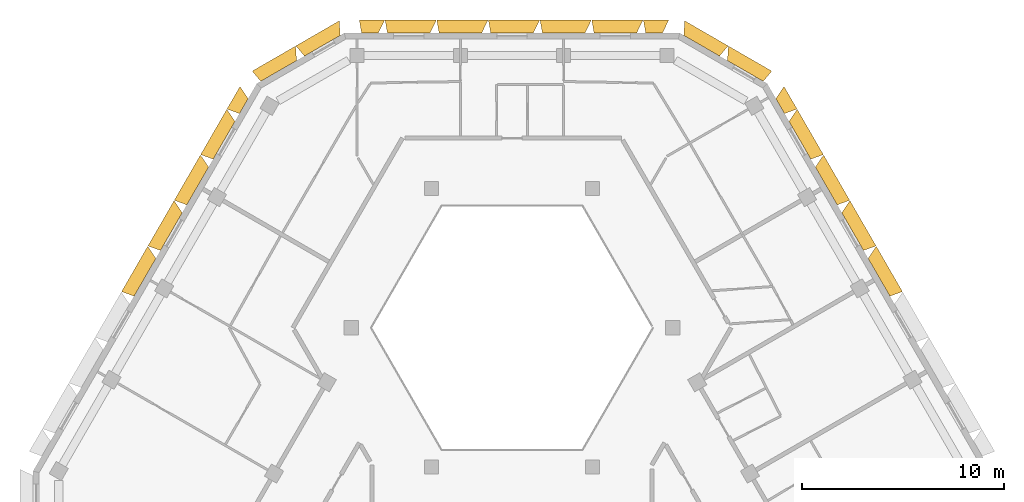
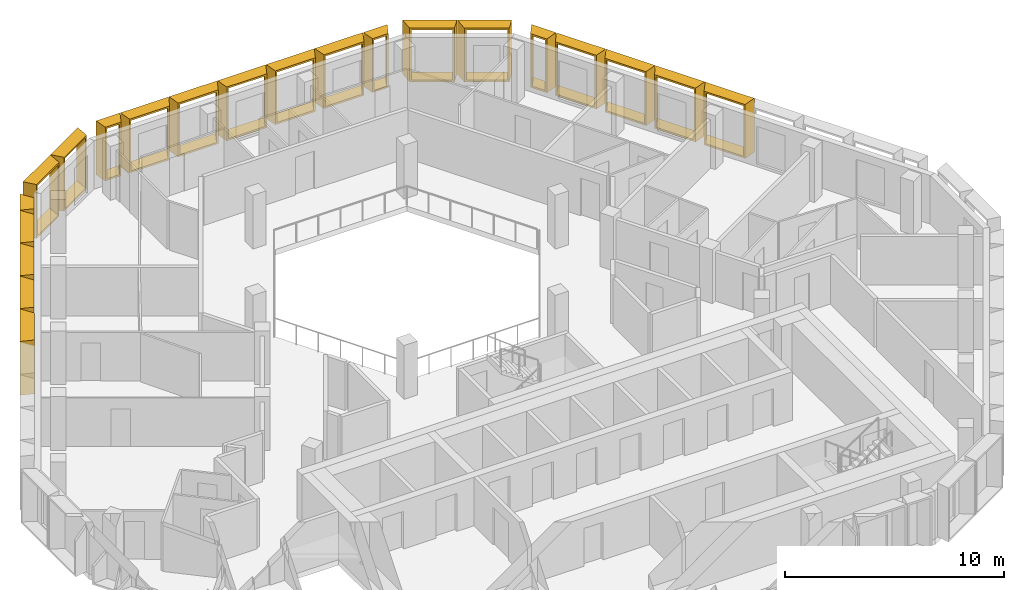
# One storey, part 14 of 14: 21 shading devices.
"""IFC4 building model written with IfcOpenShell, lengths in metres."""

import ifcopenshell
import ifcopenshell.guid

model = None  # the IFC model being written
_history = None  # IfcOwnerHistory: only IFC2X3 demands one
_inside = {}  # id of a spatial element -> (the spatial element, [elements in it])
_under = {}  # id of a project, library or spatial element -> (it, [spatial elements below it])
_declared = {}  # id of a project -> (the project, [libraries it declares])
_typed = {}  # id of a type object -> (the type object, [elements of that type])
_made_of = {}  # id of a material, layer set ... -> (it, [elements and type objects made of it])


def new_model(schema):
    """Start an empty IFC model of exactly this schema.

    Asked for "IFC4X3", IfcOpenShell would pick the latest addendum, in which some entities
    have other attributes; the version numbers below select the first issue.
    IFC2X3 requires an IfcOwnerHistory on every rooted entity: one is made here for all.
    """
    global model, _history
    if schema == "IFC4X3":
        model = ifcopenshell.file(schema_version=(4, 3, 0, 0))
    else:
        model = ifcopenshell.file(schema=schema)
    _inside.clear()
    _under.clear()
    _declared.clear()
    _typed.clear()
    _made_of.clear()
    _history = None
    if model.schema == "IFC2X3":
        org = make("IfcOrganization", Name="unknown")
        user = make(
            "IfcPersonAndOrganization",
            ThePerson=make("IfcPerson", FamilyName="unknown"),
            TheOrganization=org,
        )
        app = make(
            "IfcApplication",
            ApplicationDeveloper=org,
            Version="unknown",
            ApplicationFullName="unknown",
            ApplicationIdentifier="unknown",
        )
        _history = make(
            "IfcOwnerHistory",
            OwningUser=user,
            OwningApplication=app,
            ChangeAction="ADDED",
            CreationDate=0,
        )
    return model


def make(cls, **values):
    """One entity of the class cls with the attributes given. An attribute that is None is left unset."""
    return model.create_entity(
        cls, **{name: value for name, value in values.items() if value is not None}
    )


def entity(cls, *values):
    """Any entity or typed value of the class cls, its attributes in the order of the schema. None: left unset."""
    e = model.create_entity(cls)
    for i, value in enumerate(values):
        if value is not None:
            e[i] = value
    return e


def rooted(cls, **values):
    """An entity with a GlobalId (a new one), such as an element, a storey or a relation."""
    return make(cls, GlobalId=ifcopenshell.guid.new(), OwnerHistory=_history, **values)


def si_unit(unit_type, name, prefix=None):
    """IfcSIUnit, for example si_unit("LENGTHUNIT", "METRE", prefix="MILLI")."""
    return make("IfcSIUnit", UnitType=unit_type, Prefix=prefix, Name=name)


def assignment(units):
    """IfcUnitAssignment: the units of a project."""
    return None if units is None else make("IfcUnitAssignment", Units=units)


def point(xyz):
    """IfcCartesianPoint."""
    return None if xyz is None else make("IfcCartesianPoint", Coordinates=xyz)


def direction(xyz):
    """IfcDirection."""
    return None if xyz is None else make("IfcDirection", DirectionRatios=xyz)


def frame(location, z_axis=None, x_axis=None):
    """IfcAxis2Placement3D, a coordinate frame: its origin and axes. An axis left out is left unset."""
    return make(
        "IfcAxis2Placement3D",
        Location=point(location),
        Axis=direction(z_axis),
        RefDirection=direction(x_axis),
    )


def origin():
    """The frame at (0, 0, 0) with its axes left unset."""
    return frame((0.0, 0.0, 0.0))


def place(relative_to, where):
    """IfcLocalPlacement: puts the frame where relative to a parent placement (None: the world)."""
    return make(
        "IfcLocalPlacement", PlacementRelTo=relative_to, RelativePlacement=where
    )


def context(
    kind, dimensions, precision=None, world=None, true_north=None, identifier=None
):
    """IfcGeometricRepresentationContext, for example the 3D "Model" context."""
    return make(
        "IfcGeometricRepresentationContext",
        ContextIdentifier=identifier,
        ContextType=kind,
        CoordinateSpaceDimension=dimensions,
        Precision=precision,
        WorldCoordinateSystem=world,
        TrueNorth=true_north,
    )


def subcontext(parent, identifier, kind, view, scale=None):
    """IfcGeometricRepresentationSubContext, for example "Body" below "Model"."""
    return make(
        "IfcGeometricRepresentationSubContext",
        ContextIdentifier=identifier,
        ContextType=kind,
        ParentContext=parent,
        TargetScale=scale,
        TargetView=view,
    )


def project(units=None, contexts=None):
    """IfcProject with its units and contexts."""
    return rooted(
        "IfcProject",
        Name="project",
        RepresentationContexts=contexts,
        UnitsInContext=assignment(units),
    )


def spatial(cls, under=None, at=None, **own):
    """A site, building, storey or space (cls), placed at a placement, below another one or the project."""
    s = rooted(cls, ObjectPlacement=at, **own)
    if under is not None:
        _under.setdefault(under.id(), (under, []))[1].append(s)
    return s


def shape(context_of_items, identifier, shape_type, items):
    """IfcShapeRepresentation: the items that make up one representation, for example the "Body"."""
    return make(
        "IfcShapeRepresentation",
        ContextOfItems=context_of_items,
        RepresentationIdentifier=identifier,
        RepresentationType=shape_type,
        Items=items,
    )


def source(mapping_origin, context_of_items, identifier, shape_type, items):
    """IfcRepresentationMap: a shape defined once, which mapped items show again and again."""
    return make(
        "IfcRepresentationMap",
        MappingOrigin=mapping_origin,
        MappedRepresentation=shape(context_of_items, identifier, shape_type, items),
    )


def transform(
    local_origin,
    x_axis=None,
    y_axis=None,
    z_axis=None,
    scale=None,
    scale2=None,
    scale3=None,
    uniform=True,
):
    """IfcCartesianTransformationOperator3D, or its non-uniform kind. x_axis, y_axis, z_axis: its Axis1, 2, 3."""
    if uniform:
        return make(
            "IfcCartesianTransformationOperator3D",
            Axis1=direction(x_axis),
            Axis2=direction(y_axis),
            LocalOrigin=point(local_origin),
            Scale=scale,
            Axis3=direction(z_axis),
        )
    return make(
        "IfcCartesianTransformationOperator3DnonUniform",
        Axis1=direction(x_axis),
        Axis2=direction(y_axis),
        LocalOrigin=point(local_origin),
        Scale=scale,
        Axis3=direction(z_axis),
        Scale2=scale2,
        Scale3=scale3,
    )


def mapped(mapping_source, mapping_target):
    """IfcMappedItem: shows the shape of a source again, moved by a transform."""
    return make(
        "IfcMappedItem", MappingSource=mapping_source, MappingTarget=mapping_target
    )


def material(Name=None, Category=None):
    """IfcMaterial."""
    return make("IfcMaterial", Name=Name, Category=Category)


def made_of(thing, what):
    """Note that an element or type object is made of a material, layer set ...; save() writes the relation."""
    if what is not None:
        _made_of.setdefault(what.id(), (what, []))[1].append(thing)
    return thing


def type_object(cls, material=None, **own):
    """A type object (cls), such as IfcWallType, which elements share."""
    return made_of(rooted(cls, **own), material)


def type_shapes(of_type, sources):
    """Give a type object the sources (RepresentationMaps) that its elements show as mapped items."""
    of_type.RepresentationMaps = sources


def element(
    cls,
    number,
    at=None,
    inside=None,
    cuts=None,
    type_object=None,
    material=None,
    context=None,
    identifier="Body",
    shape_type=None,
    held_by="IfcProductDefinitionShape",
    body=None,
    shapes=None,
    **own,
):
    """One element of the class cls, such as IfcWall. Its Tag is "e" and its number.

    at: its placement. inside: the storey or other place that contains it. cuts: it is an
    opening in that element (IfcRelVoidsElement). A single representation is given by context,
    identifier, shape_type and body (its items); several are given by shapes. held_by: the class
    of the entity that holds the representations. save() writes the other relations.
    """
    e = rooted(cls, Tag="e%d" % number, ObjectPlacement=at, **own)
    if body is not None:
        shapes = [shape(context, identifier, shape_type, body)]
    if shapes is not None:
        e.Representation = make(held_by, Representations=shapes)
    if inside is not None:
        _inside.setdefault(inside.id(), (inside, []))[1].append(e)
    if cuts is not None:
        rooted(
            "IfcRelVoidsElement", RelatingBuildingElement=cuts, RelatedOpeningElement=e
        )
    if type_object is not None:
        _typed.setdefault(type_object.id(), (type_object, []))[1].append(e)
    return made_of(e, material)


def aggregate(whole, parts):
    """IfcRelAggregates: a whole, such as a stair, and the parts it consists of."""
    return rooted("IfcRelAggregates", RelatingObject=whole, RelatedObjects=parts)


def save(model, path):
    """Write the relations noted so far, then the file.

    IfcRelAggregates (storeys below a building ...), IfcRelContainedInSpatialStructure (elements
    in a storey), IfcRelDefinesByType, IfcRelAssociatesMaterial and IfcRelDeclares: one each for
    every whole, place, type object, material and project.
    """
    for whole, parts in _under.values():
        aggregate(whole, parts)
    for where, things in _inside.values():
        rooted(
            "IfcRelContainedInSpatialStructure",
            RelatedElements=things,
            RelatingStructure=where,
        )
    for kind, things in _typed.values():
        rooted("IfcRelDefinesByType", RelatedObjects=things, RelatingType=kind)
    for what, things in _made_of.values():
        rooted("IfcRelAssociatesMaterial", RelatedObjects=things, RelatingMaterial=what)
    for by, libraries in _declared.values():
        rooted("IfcRelDeclares", RelatingContext=by, RelatedDefinitions=libraries)
    model.write(path)


model = new_model("IFC4")

# Units and contexts
model_context = context("Model", 3, precision=1e-05, world=origin(), true_north=direction((0.0, 1.0)))
body_context = subcontext(model_context, "Body", "Model", "MODEL_VIEW")
ifc_project = project(units=[si_unit("LENGTHUNIT", "METRE"), si_unit("AREAUNIT", "SQUARE_METRE"), si_unit("VOLUMEUNIT", "CUBIC_METRE"), si_unit("PLANEANGLEUNIT", "RADIAN"), si_unit("MASSUNIT", "GRAM", prefix="KILO")], contexts=[model_context])

# Site, building, storey
site_placement = place(None, origin())
site = spatial("IfcSite", under=ifc_project, at=site_placement, CompositionType="ELEMENT")
building_placement = place(site_placement, origin())
building = spatial("IfcBuilding", under=site, at=building_placement, Name="Beryl Residences", CompositionType="ELEMENT")
storey_placement = place(building_placement, frame((0.0, 0.0, 235.800048828125)))
storey = spatial("IfcBuildingStorey", under=building, at=storey_placement, Name="L73", CompositionType="ELEMENT", Elevation=235.800048828125)

# Shading devices
ifc_material_1 = material(Name="Aluminium pale anodised", Category="aluminium")
shading_device_type_1 = type_object("IfcShadingDeviceType", Name="FR128-65B OUTER SKIN frame 650 mm deep, splay 26/10 deg, 1280 x 3000 mm cell", PredefinedType="USERDEFINED", material=ifc_material_1)
cartesian_point_1 = entity("IfcCartesianPoint", [-0.4140625, 0.0])
cartesian_point_2 = entity("IfcCartesianPoint", [-0.324951171875, 0.10009765625])
cartesian_point_3 = entity("IfcCartesianPoint", [-0.73095703125, 0.0])
cartesian_point_4 = entity("IfcCartesianPoint", [-0.64208984375, 0.10009765625])
shared_shape_1 = source(origin(), body_context, "Body", "SweptSolid", [
    entity("IfcExtrudedAreaSolidTapered", entity("IfcArbitraryProfileDefWithVoids", "AREA", None, entity("IfcPolyline", [cartesian_point_1, entity("IfcCartesianPoint", [0.4140625, 0.0]), entity("IfcCartesianPoint", [0.4140625, 3.0]), entity("IfcCartesianPoint", [-0.4140625, 3.0]), cartesian_point_1]), [entity("IfcPolyline", [cartesian_point_2, entity("IfcCartesianPoint", [0.332763671875, 0.10009765625]), entity("IfcCartesianPoint", [0.332763671875, 2.89990234375]), entity("IfcCartesianPoint", [-0.324951171875, 2.89990234375]), cartesian_point_2])]), entity("IfcAxis2Placement3D", entity("IfcCartesianPoint", [0.0, 0.0, 0.0]), entity("IfcDirection", [0.0, 1.0, 0.0]), entity("IfcDirection", [-1.0, 0.0, 0.0])), entity("IfcDirection", [0.0, 0.0, 1.0]), 0.64990234375, entity("IfcArbitraryProfileDefWithVoids", "AREA", None, entity("IfcPolyline", [cartesian_point_3, entity("IfcCartesianPoint", [0.528564453125, 0.0]), entity("IfcCartesianPoint", [0.528564453125, 3.0]), entity("IfcCartesianPoint", [-0.73095703125, 3.0]), cartesian_point_3]), [entity("IfcPolyline", [cartesian_point_4, entity("IfcCartesianPoint", [0.447265625, 0.10009765625]), entity("IfcCartesianPoint", [0.447265625, 2.89990234375]), entity("IfcCartesianPoint", [-0.64208984375, 2.89990234375]), cartesian_point_4])])),
])
type_shapes(shading_device_type_1, [shared_shape_1])
for number, where, z_axis, x_axis, name in (
    (1, (7.0390625, 22.60009765625, 0.0), (0.0, 0.0, 1.0), (1.0, 0.0, 0.0), "FR128-65B frame L73 N 1"),
    (2, (-7.0380859375, 22.60009765625, 0.0), (0.0, 0.0, 1.0), (1.0, 0.0, 0.0), "FR128-65B frame L73 N 7"),
):
    element("IfcShadingDevice", number, at=place(storey_placement, frame(where, z_axis=z_axis, x_axis=x_axis)), inside=storey, type_object=shading_device_type_1, Name=name, ObjectType="OUTER SKIN", PredefinedType="USERDEFINED", context=body_context, shape_type="MappedRepresentation", body=[
        mapped(shared_shape_1, transform((0.0, 0.0, 0.0))),
    ])
ifc_material_2 = material(Name="Aluminium pale anodised", Category="aluminium")
shading_device_type_2 = type_object("IfcShadingDeviceType", Name="FR131-65B OUTER SKIN frame 650 mm deep, splay 26/10 deg, 1310 x 3000 mm cell", PredefinedType="USERDEFINED", material=ifc_material_2)
cartesian_point_5 = entity("IfcCartesianPoint", [-0.428955078125, 0.0])
cartesian_point_6 = entity("IfcCartesianPoint", [-0.340087890625, 0.10009765625])
cartesian_point_7 = entity("IfcCartesianPoint", [-0.74609375, 0.0])
cartesian_point_8 = entity("IfcCartesianPoint", [-0.656982421875, 0.10009765625])
shared_shape_2 = source(origin(), body_context, "Body", "SweptSolid", [
    entity("IfcExtrudedAreaSolidTapered", entity("IfcArbitraryProfileDefWithVoids", "AREA", None, entity("IfcPolyline", [cartesian_point_5, entity("IfcCartesianPoint", [0.428955078125, 0.0]), entity("IfcCartesianPoint", [0.428955078125, 3.0]), entity("IfcCartesianPoint", [-0.428955078125, 3.0]), cartesian_point_5]), [entity("IfcPolyline", [cartesian_point_6, entity("IfcCartesianPoint", [0.34765625, 0.10009765625]), entity("IfcCartesianPoint", [0.34765625, 2.89990234375]), entity("IfcCartesianPoint", [-0.340087890625, 2.89990234375]), cartesian_point_6])]), entity("IfcAxis2Placement3D", entity("IfcCartesianPoint", [0.0, 0.0, 0.0]), entity("IfcDirection", [0.0, 1.0, 0.0]), entity("IfcDirection", [-1.0, 0.0, 0.0])), entity("IfcDirection", [0.0, 0.0, 1.0]), 0.64990234375, entity("IfcArbitraryProfileDefWithVoids", "AREA", None, entity("IfcPolyline", [cartesian_point_7, entity("IfcCartesianPoint", [0.543701171875, 0.0]), entity("IfcCartesianPoint", [0.543701171875, 3.0]), entity("IfcCartesianPoint", [-0.74609375, 3.0]), cartesian_point_7]), [entity("IfcPolyline", [cartesian_point_8, entity("IfcCartesianPoint", [0.46240234375, 0.10009765625]), entity("IfcCartesianPoint", [0.46240234375, 2.89990234375]), entity("IfcCartesianPoint", [-0.656982421875, 2.89990234375]), cartesian_point_8])])),
])
type_shapes(shading_device_type_2, [shared_shape_2])
shading_device_1_placement = place(storey_placement, frame((-13.2880859375, 18.98388671875, 0.0), z_axis=(0.0, 0.0, 1.0), x_axis=(0.5, 0.866025403784, 0.0)))
element("IfcShadingDevice", 3, at=shading_device_1_placement, inside=storey, type_object=shading_device_type_2, Name="FR131-65B frame L73 NW 1", ObjectType="OUTER SKIN", PredefinedType="USERDEFINED", context=body_context, shape_type="MappedRepresentation", body=[
    mapped(shared_shape_2, transform((0.0, 0.0, 0.0))),
])
ifc_material_3 = material(Name="Aluminium pale anodised", Category="aluminium")
shading_device_type_3 = type_object("IfcShadingDeviceType", Name="FR131-65C OUTER SKIN frame 650 mm deep, splay 10/26 deg, 1310 x 3000 mm cell", PredefinedType="USERDEFINED", material=ifc_material_3)
cartesian_point_9 = entity("IfcCartesianPoint", [-0.428955078125, 0.0])
cartesian_point_10 = entity("IfcCartesianPoint", [-0.34765625, 0.10009765625])
cartesian_point_11 = entity("IfcCartesianPoint", [-0.543701171875, 0.0])
cartesian_point_12 = entity("IfcCartesianPoint", [-0.46240234375, 0.10009765625])
shared_shape_3 = source(origin(), body_context, "Body", "SweptSolid", [
    entity("IfcExtrudedAreaSolidTapered", entity("IfcArbitraryProfileDefWithVoids", "AREA", None, entity("IfcPolyline", [cartesian_point_9, entity("IfcCartesianPoint", [0.428955078125, 0.0]), entity("IfcCartesianPoint", [0.428955078125, 3.0]), entity("IfcCartesianPoint", [-0.428955078125, 3.0]), cartesian_point_9]), [entity("IfcPolyline", [cartesian_point_10, entity("IfcCartesianPoint", [0.340087890625, 0.10009765625]), entity("IfcCartesianPoint", [0.340087890625, 2.89990234375]), entity("IfcCartesianPoint", [-0.34765625, 2.89990234375]), cartesian_point_10])]), entity("IfcAxis2Placement3D", entity("IfcCartesianPoint", [0.0, 0.0, 0.0]), entity("IfcDirection", [0.0, 1.0, 0.0]), entity("IfcDirection", [-1.0, 0.0, 0.0])), entity("IfcDirection", [0.0, 0.0, 1.0]), 0.64990234375, entity("IfcArbitraryProfileDefWithVoids", "AREA", None, entity("IfcPolyline", [cartesian_point_11, entity("IfcCartesianPoint", [0.74609375, 0.0]), entity("IfcCartesianPoint", [0.74609375, 3.0]), entity("IfcCartesianPoint", [-0.543701171875, 3.0]), cartesian_point_11]), [entity("IfcPolyline", [cartesian_point_12, entity("IfcCartesianPoint", [0.656982421875, 0.10009765625]), entity("IfcCartesianPoint", [0.656982421875, 2.89990234375]), entity("IfcCartesianPoint", [-0.46240234375, 2.89990234375]), cartesian_point_12])])),
])
type_shapes(shading_device_type_3, [shared_shape_3])
shading_device_2_placement = place(storey_placement, frame((13.2880859375, 18.98388671875, 0.0), z_axis=(0.0, 0.0, 1.0), x_axis=(0.5, -0.866025403784, 0.0)))
element("IfcShadingDevice", 4, at=shading_device_2_placement, inside=storey, type_object=shading_device_type_3, Name="FR131-65C frame L73 NE 9", ObjectType="OUTER SKIN", PredefinedType="USERDEFINED", context=body_context, shape_type="MappedRepresentation", body=[
    mapped(shared_shape_3, transform((0.0, 0.0, 0.0))),
])
ifc_material_4 = material(Name="Aluminium pale anodised", Category="aluminium")
shading_device_type_4 = type_object("IfcShadingDeviceType", Name="FR250-65B OUTER SKIN frame 650 mm deep, splay 26/10 deg, 2500 x 3000 mm cell", PredefinedType="USERDEFINED", material=ifc_material_4)
cartesian_point_13 = entity("IfcCartesianPoint", [-1.02392578125, 0.0])
cartesian_point_14 = entity("IfcCartesianPoint", [-0.93505859375, 0.10009765625])
cartesian_point_15 = entity("IfcCartesianPoint", [-1.341064453125, 0.0])
cartesian_point_16 = entity("IfcCartesianPoint", [-1.251953125, 0.10009765625])
shared_shape_4 = source(origin(), body_context, "Body", "SweptSolid", [
    entity("IfcExtrudedAreaSolidTapered", entity("IfcArbitraryProfileDefWithVoids", "AREA", None, entity("IfcPolyline", [cartesian_point_13, entity("IfcCartesianPoint", [1.02392578125, 0.0]), entity("IfcCartesianPoint", [1.02392578125, 3.0]), entity("IfcCartesianPoint", [-1.02392578125, 3.0]), cartesian_point_13]), [entity("IfcPolyline", [cartesian_point_14, entity("IfcCartesianPoint", [0.94287109375, 0.10009765625]), entity("IfcCartesianPoint", [0.94287109375, 2.89990234375]), entity("IfcCartesianPoint", [-0.93505859375, 2.89990234375]), cartesian_point_14])]), entity("IfcAxis2Placement3D", entity("IfcCartesianPoint", [0.0, 0.0, 0.0]), entity("IfcDirection", [0.0, 1.0, 0.0]), entity("IfcDirection", [-1.0, 0.0, 0.0])), entity("IfcDirection", [0.0, 0.0, 1.0]), 0.64990234375, entity("IfcArbitraryProfileDefWithVoids", "AREA", None, entity("IfcPolyline", [cartesian_point_15, entity("IfcCartesianPoint", [1.138671875, 0.0]), entity("IfcCartesianPoint", [1.138671875, 3.0]), entity("IfcCartesianPoint", [-1.341064453125, 3.0]), cartesian_point_15]), [entity("IfcPolyline", [cartesian_point_16, entity("IfcCartesianPoint", [1.057373046875, 0.10009765625]), entity("IfcCartesianPoint", [1.057373046875, 2.89990234375]), entity("IfcCartesianPoint", [-1.251953125, 2.89990234375]), cartesian_point_16])])),
])
type_shapes(shading_device_type_4, [shared_shape_4])
for number, where, z_axis, x_axis, name in (
    (5, (-9.39599609375, 21.97509765625, 0.0), (0.0, 0.0, 1.0), (0.866025403784, 0.5, 0.0), "FR250-65B frame L73 N-NW 1"),
    (6, (-11.56103515625, 20.72509765625, 0.0), (0.0, 0.0, 1.0), (0.866025403784, 0.5, 0.0), "FR250-65B frame L73 N-NW 2"),
):
    element("IfcShadingDevice", number, at=place(storey_placement, frame(where, z_axis=z_axis, x_axis=x_axis)), inside=storey, type_object=shading_device_type_4, Name=name, ObjectType="OUTER SKIN", PredefinedType="USERDEFINED", context=body_context, shape_type="MappedRepresentation", body=[
        mapped(shared_shape_4, transform((0.0, 0.0, 0.0))),
    ])
ifc_material_5 = material(Name="Aluminium pale anodised", Category="aluminium")
shading_device_type_5 = type_object("IfcShadingDeviceType", Name="FR250-65C OUTER SKIN frame 650 mm deep, splay 10/26 deg, 2500 x 3000 mm cell", PredefinedType="USERDEFINED", material=ifc_material_5)
cartesian_point_17 = entity("IfcCartesianPoint", [-1.02392578125, 0.0])
cartesian_point_18 = entity("IfcCartesianPoint", [-0.94287109375, 0.10009765625])
cartesian_point_19 = entity("IfcCartesianPoint", [-1.138671875, 0.0])
cartesian_point_20 = entity("IfcCartesianPoint", [-1.057373046875, 0.10009765625])
shared_shape_5 = source(origin(), body_context, "Body", "SweptSolid", [
    entity("IfcExtrudedAreaSolidTapered", entity("IfcArbitraryProfileDefWithVoids", "AREA", None, entity("IfcPolyline", [cartesian_point_17, entity("IfcCartesianPoint", [1.02392578125, 0.0]), entity("IfcCartesianPoint", [1.02392578125, 3.0]), entity("IfcCartesianPoint", [-1.02392578125, 3.0]), cartesian_point_17]), [entity("IfcPolyline", [cartesian_point_18, entity("IfcCartesianPoint", [0.93505859375, 0.10009765625]), entity("IfcCartesianPoint", [0.93505859375, 2.89990234375]), entity("IfcCartesianPoint", [-0.94287109375, 2.89990234375]), cartesian_point_18])]), entity("IfcAxis2Placement3D", entity("IfcCartesianPoint", [0.0, 0.0, 0.0]), entity("IfcDirection", [0.0, 1.0, 0.0]), entity("IfcDirection", [-1.0, 0.0, 0.0])), entity("IfcDirection", [0.0, 0.0, 1.0]), 0.64990234375, entity("IfcArbitraryProfileDefWithVoids", "AREA", None, entity("IfcPolyline", [cartesian_point_19, entity("IfcCartesianPoint", [1.341064453125, 0.0]), entity("IfcCartesianPoint", [1.341064453125, 3.0]), entity("IfcCartesianPoint", [-1.138671875, 3.0]), cartesian_point_19]), [entity("IfcPolyline", [cartesian_point_20, entity("IfcCartesianPoint", [1.251953125, 0.10009765625]), entity("IfcCartesianPoint", [1.251953125, 2.89990234375]), entity("IfcCartesianPoint", [-1.057373046875, 2.89990234375]), cartesian_point_20])])),
])
type_shapes(shading_device_type_5, [shared_shape_5])
for number, where, z_axis, x_axis, name in (
    (7, (11.56103515625, 20.72509765625, 0.0), (0.0, 0.0, 1.0), (0.866025403784, -0.5, 0.0), "FR250-65C frame L73 NE-N 1"),
    (8, (9.39599609375, 21.97509765625, 0.0), (0.0, 0.0, 1.0), (0.866025403784, -0.5, 0.0), "FR250-65C frame L73 NE-N 2"),
):
    element("IfcShadingDevice", number, at=place(storey_placement, frame(where, z_axis=z_axis, x_axis=x_axis)), inside=storey, type_object=shading_device_type_5, Name=name, ObjectType="OUTER SKIN", PredefinedType="USERDEFINED", context=body_context, shape_type="MappedRepresentation", body=[
        mapped(shared_shape_5, transform((0.0, 0.0, 0.0))),
    ])
ifc_material_6 = material(Name="Aluminium pale anodised", Category="aluminium")
shading_device_type_6 = type_object("IfcShadingDeviceType", Name="FR256-65B OUTER SKIN frame 650 mm deep, splay 26/10 deg, 2560 x 3000 mm cell", PredefinedType="USERDEFINED", material=ifc_material_6)
cartesian_point_21 = entity("IfcCartesianPoint", [-1.053955078125, 0.0])
cartesian_point_22 = entity("IfcCartesianPoint", [-0.965087890625, 0.10009765625])
cartesian_point_23 = entity("IfcCartesianPoint", [-1.37109375, 0.0])
cartesian_point_24 = entity("IfcCartesianPoint", [-1.281982421875, 0.10009765625])
shared_shape_6 = source(origin(), body_context, "Body", "SweptSolid", [
    entity("IfcExtrudedAreaSolidTapered", entity("IfcArbitraryProfileDefWithVoids", "AREA", None, entity("IfcPolyline", [cartesian_point_21, entity("IfcCartesianPoint", [1.053955078125, 0.0]), entity("IfcCartesianPoint", [1.053955078125, 3.0]), entity("IfcCartesianPoint", [-1.053955078125, 3.0]), cartesian_point_21]), [entity("IfcPolyline", [cartesian_point_22, entity("IfcCartesianPoint", [0.97265625, 0.10009765625]), entity("IfcCartesianPoint", [0.97265625, 2.89990234375]), entity("IfcCartesianPoint", [-0.965087890625, 2.89990234375]), cartesian_point_22])]), entity("IfcAxis2Placement3D", entity("IfcCartesianPoint", [0.0, 0.0, 0.0]), entity("IfcDirection", [0.0, 1.0, 0.0]), entity("IfcDirection", [-1.0, 0.0, 0.0])), entity("IfcDirection", [0.0, 0.0, 1.0]), 0.64990234375, entity("IfcArbitraryProfileDefWithVoids", "AREA", None, entity("IfcPolyline", [cartesian_point_23, entity("IfcCartesianPoint", [1.168701171875, 0.0]), entity("IfcCartesianPoint", [1.168701171875, 3.0]), entity("IfcCartesianPoint", [-1.37109375, 3.0]), cartesian_point_23]), [entity("IfcPolyline", [cartesian_point_24, entity("IfcCartesianPoint", [1.08740234375, 0.10009765625]), entity("IfcCartesianPoint", [1.08740234375, 2.89990234375]), entity("IfcCartesianPoint", [-1.281982421875, 2.89990234375]), cartesian_point_24])])),
])
type_shapes(shading_device_type_6, [shared_shape_6])
for number, where, z_axis, x_axis, name in (
    (9, (5.1201171875, 22.60009765625, 0.0), (0.0, 0.0, 1.0), (1.0, 0.0, 0.0), "FR256-65B frame L73 N 2"),
    (10, (2.56005859375, 22.60009765625, 0.0), (0.0, 0.0, 1.0), (1.0, 0.0, 0.0), "FR256-65B frame L73 N 3"),
    (11, (0.0, 22.60009765625, 0.0), (0.0, 0.0, 1.0), (1.0, 0.0, 0.0), "FR256-65B frame L73 N 4"),
    (12, (-2.55908203125, 22.60009765625, 0.0), (0.0, 0.0, 1.0), (1.0, 0.0, 0.0), "FR256-65B frame L73 N 5"),
    (13, (-5.118896484375, 22.60009765625, 0.0), (0.0, 0.0, 1.0), (1.0, 0.0, 0.0), "FR256-65B frame L73 N 6"),
):
    element("IfcShadingDevice", number, at=place(storey_placement, frame(where, z_axis=z_axis, x_axis=x_axis)), inside=storey, type_object=shading_device_type_6, Name=name, ObjectType="OUTER SKIN", PredefinedType="USERDEFINED", context=body_context, shape_type="MappedRepresentation", body=[
        mapped(shared_shape_6, transform((0.0, 0.0, 0.0))),
    ])
ifc_material_7 = material(Name="Aluminium pale anodised", Category="aluminium")
shading_device_type_7 = type_object("IfcShadingDeviceType", Name="FR261-65B OUTER SKIN frame 650 mm deep, splay 26/10 deg, 2610 x 3000 mm cell", PredefinedType="USERDEFINED", material=ifc_material_7)
cartesian_point_25 = entity("IfcCartesianPoint", [-1.0791015625, 0.0])
cartesian_point_26 = entity("IfcCartesianPoint", [-0.989990234375, 0.10009765625])
cartesian_point_27 = entity("IfcCartesianPoint", [-1.39599609375, 0.0])
cartesian_point_28 = entity("IfcCartesianPoint", [-1.30712890625, 0.10009765625])
shared_shape_7 = source(origin(), body_context, "Body", "SweptSolid", [
    entity("IfcExtrudedAreaSolidTapered", entity("IfcArbitraryProfileDefWithVoids", "AREA", None, entity("IfcPolyline", [cartesian_point_25, entity("IfcCartesianPoint", [1.0791015625, 0.0]), entity("IfcCartesianPoint", [1.0791015625, 3.0]), entity("IfcCartesianPoint", [-1.0791015625, 3.0]), cartesian_point_25]), [entity("IfcPolyline", [cartesian_point_26, entity("IfcCartesianPoint", [0.997802734375, 0.10009765625]), entity("IfcCartesianPoint", [0.997802734375, 2.89990234375]), entity("IfcCartesianPoint", [-0.989990234375, 2.89990234375]), cartesian_point_26])]), entity("IfcAxis2Placement3D", entity("IfcCartesianPoint", [0.0, 0.0, 0.0]), entity("IfcDirection", [0.0, 1.0, 0.0]), entity("IfcDirection", [-1.0, 0.0, 0.0])), entity("IfcDirection", [0.0, 0.0, 1.0]), 0.64990234375, entity("IfcArbitraryProfileDefWithVoids", "AREA", None, entity("IfcPolyline", [cartesian_point_27, entity("IfcCartesianPoint", [1.193603515625, 0.0]), entity("IfcCartesianPoint", [1.193603515625, 3.0]), entity("IfcCartesianPoint", [-1.39599609375, 3.0]), cartesian_point_27]), [entity("IfcPolyline", [cartesian_point_28, entity("IfcCartesianPoint", [1.1123046875, 0.10009765625]), entity("IfcCartesianPoint", [1.1123046875, 2.89990234375]), entity("IfcCartesianPoint", [-1.30712890625, 2.89990234375]), cartesian_point_28])])),
])
type_shapes(shading_device_type_7, [shared_shape_7])
for number, where, z_axis, x_axis, name in (
    (14, (-14.26708984375, 17.2880859375, 0.0), (0.0, 0.0, 1.0), (0.5, 0.866025403784, 0.0), "FR261-65B frame L73 NW 2"),
    (15, (-15.573974609375, 15.02490234375, 0.0), (0.0, 0.0, 1.0), (0.5, 0.866025403784, 0.0), "FR261-65B frame L73 NW 3"),
    (16, (-16.8798828125, 12.762939453125, 0.0), (0.0, 0.0, 1.0), (0.5, 0.866025403784, 0.0), "FR261-65B frame L73 NW 4"),
    (17, (-18.18603515625, 10.5, 0.0), (0.0, 0.0, 1.0), (0.5, 0.866025403784, 0.0), "FR261-65B frame L73 NW 5"),
):
    element("IfcShadingDevice", number, at=place(storey_placement, frame(where, z_axis=z_axis, x_axis=x_axis)), inside=storey, type_object=shading_device_type_7, Name=name, ObjectType="OUTER SKIN", PredefinedType="USERDEFINED", context=body_context, shape_type="MappedRepresentation", body=[
        mapped(shared_shape_7, transform((0.0, 0.0, 0.0))),
    ])
ifc_material_8 = material(Name="Aluminium pale anodised", Category="aluminium")
shading_device_type_8 = type_object("IfcShadingDeviceType", Name="FR261-65C OUTER SKIN frame 650 mm deep, splay 10/26 deg, 2610 x 3000 mm cell", PredefinedType="USERDEFINED", material=ifc_material_8)
cartesian_point_29 = entity("IfcCartesianPoint", [-1.0791015625, 0.0])
cartesian_point_30 = entity("IfcCartesianPoint", [-0.997802734375, 0.10009765625])
cartesian_point_31 = entity("IfcCartesianPoint", [-1.193603515625, 0.0])
cartesian_point_32 = entity("IfcCartesianPoint", [-1.1123046875, 0.10009765625])
shared_shape_8 = source(origin(), body_context, "Body", "SweptSolid", [
    entity("IfcExtrudedAreaSolidTapered", entity("IfcArbitraryProfileDefWithVoids", "AREA", None, entity("IfcPolyline", [cartesian_point_29, entity("IfcCartesianPoint", [1.0791015625, 0.0]), entity("IfcCartesianPoint", [1.0791015625, 3.0]), entity("IfcCartesianPoint", [-1.0791015625, 3.0]), cartesian_point_29]), [entity("IfcPolyline", [cartesian_point_30, entity("IfcCartesianPoint", [0.989990234375, 0.10009765625]), entity("IfcCartesianPoint", [0.989990234375, 2.89990234375]), entity("IfcCartesianPoint", [-0.997802734375, 2.89990234375]), cartesian_point_30])]), entity("IfcAxis2Placement3D", entity("IfcCartesianPoint", [0.0, 0.0, 0.0]), entity("IfcDirection", [0.0, 1.0, 0.0]), entity("IfcDirection", [-1.0, 0.0, 0.0])), entity("IfcDirection", [0.0, 0.0, 1.0]), 0.64990234375, entity("IfcArbitraryProfileDefWithVoids", "AREA", None, entity("IfcPolyline", [cartesian_point_31, entity("IfcCartesianPoint", [1.39599609375, 0.0]), entity("IfcCartesianPoint", [1.39599609375, 3.0]), entity("IfcCartesianPoint", [-1.193603515625, 3.0]), cartesian_point_31]), [entity("IfcPolyline", [cartesian_point_32, entity("IfcCartesianPoint", [1.30712890625, 0.10009765625]), entity("IfcCartesianPoint", [1.30712890625, 2.89990234375]), entity("IfcCartesianPoint", [-1.1123046875, 2.89990234375]), cartesian_point_32])])),
])
type_shapes(shading_device_type_8, [shared_shape_8])
for number, where, z_axis, x_axis, name in (
    (18, (18.18603515625, 10.5, 0.0), (0.0, 0.0, 1.0), (0.5, -0.866025403784, 0.0), "FR261-65C frame L73 NE 5"),
    (19, (16.8798828125, 12.762939453125, 0.0), (0.0, 0.0, 1.0), (0.5, -0.866025403784, 0.0), "FR261-65C frame L73 NE 6"),
    (20, (15.573974609375, 15.02490234375, 0.0), (0.0, 0.0, 1.0), (0.5, -0.866025403784, 0.0), "FR261-65C frame L73 NE 7"),
    (21, (14.26708984375, 17.2880859375, 0.0), (0.0, 0.0, 1.0), (0.5, -0.866025403784, 0.0), "FR261-65C frame L73 NE 8"),
):
    element("IfcShadingDevice", number, at=place(storey_placement, frame(where, z_axis=z_axis, x_axis=x_axis)), inside=storey, type_object=shading_device_type_8, Name=name, ObjectType="OUTER SKIN", PredefinedType="USERDEFINED", context=body_context, shape_type="MappedRepresentation", body=[
        mapped(shared_shape_8, transform((0.0, 0.0, 0.0))),
    ])

save(model, "model.ifc")
